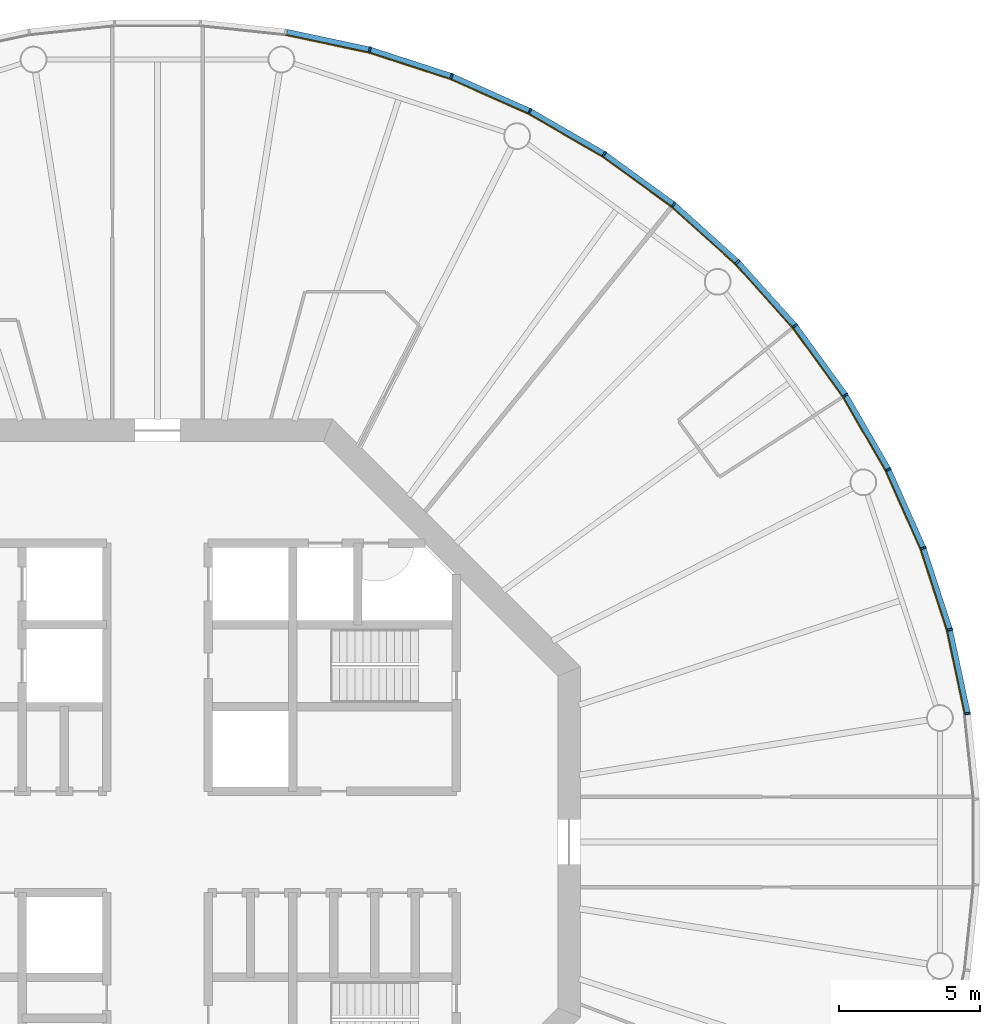
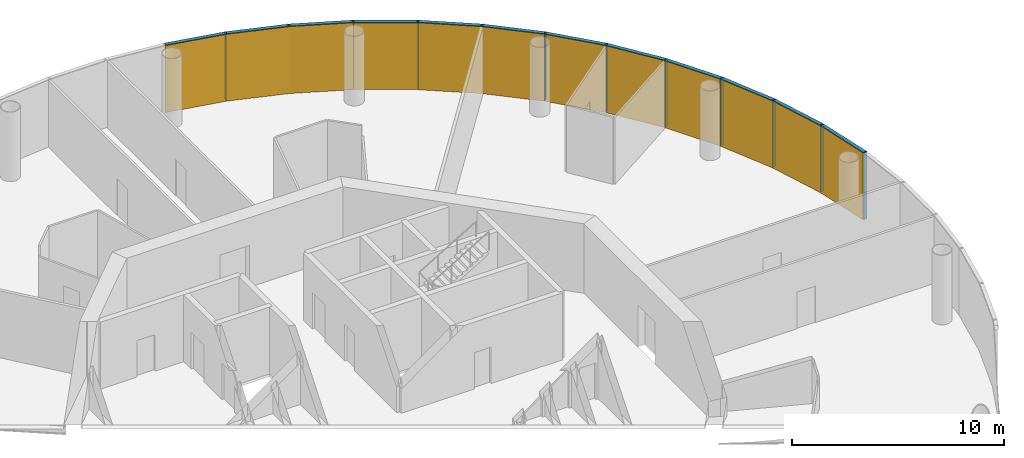
# One storey, part 12 of 13: 24 members, 4 curtain walls.
"""IFC4 building model written with IfcOpenShell, lengths in metres."""

from ifc_helpers import new_model, si_unit, direction, frame, origin, origin_2d, place, context, subcontext, project, spatial, polyline, rectangle, outline, extrude, material, layer, layer_set, material_profile, profile_set, type_object, element, aggregate, save


model = new_model("IFC4")

# Units and contexts
model_context = context("Model", 3, precision=1e-05, world=origin(), true_north=direction((0.0, 1.0)))
body_context = subcontext(model_context, "Body", "Model", "MODEL_VIEW")
ifc_project = project(units=[si_unit("LENGTHUNIT", "METRE"), si_unit("AREAUNIT", "SQUARE_METRE"), si_unit("VOLUMEUNIT", "CUBIC_METRE"), si_unit("PLANEANGLEUNIT", "RADIAN"), si_unit("MASSUNIT", "GRAM", prefix="KILO")], contexts=[model_context])

# Member
ifc_material_1 = material(Name="Anodised aluminium", Category="aluminium")
ifc_material_profile_1 = material_profile(ifc_material_1, rectangle(XDim=0.06494140625, YDim=0.195068359375, at=origin_2d()), Name="Mullion 65 x 195 mm anodised aluminium")
ifc_profile_set_1 = profile_set([ifc_material_profile_1], Name="Anodised aluminium")
member_type_1 = type_object("IfcMemberType", Name="Mullion 65 x 195 mm anodised aluminium", PredefinedType="MULLION", material=ifc_profile_set_1)
site_placement = place(None, origin())
building_placement = place(site_placement, origin())
storey_placement = place(building_placement, frame((0.0, 0.0, 286.0)))
member_1_placement = place(storey_placement, frame((118.7392578125, 84.5517578125, 0.0), z_axis=(0.0, 0.0, 1.0), x_axis=(-0.15643446504, 0.987688340595, 0.0)))
member_1 = element("IfcMember", 1, at=member_1_placement, type_object=member_type_1, Name="MULLION L65-00", PredefinedType="MULLION", context=body_context, shape_type="SweptSolid", body=[
    extrude(rectangle(XDim=0.06494140625, YDim=0.195068359375, at=origin_2d()), origin(), (0.0, 0.0, 1.0), 3.85009765625),
])

member_2_placement = place(storey_placement, frame((118.10595703125, 87.531005859375, 0.0), z_axis=(0.0, 0.0, 1.0), x_axis=(-0.258819045103, 0.965925826289, 0.0)))
member_2 = element("IfcMember", 2, at=member_2_placement, type_object=member_type_1, Name="MULLION L65-01", PredefinedType="MULLION", context=body_context, shape_type="SweptSolid", body=[
    extrude(rectangle(XDim=0.06494140625, YDim=0.195068359375, at=origin_2d()), origin(), (0.0, 0.0, 1.0), 3.85009765625),
])

member_3_placement = place(storey_placement, frame((117.164794921875, 90.427490234375, 0.0), z_axis=(0.0, 0.0, 1.0), x_axis=(-0.358367949545, 0.933580426497, 0.0)))
member_3 = element("IfcMember", 3, at=member_3_placement, type_object=member_type_1, Name="MULLION L65-02", PredefinedType="MULLION", context=body_context, shape_type="SweptSolid", body=[
    extrude(rectangle(XDim=0.06494140625, YDim=0.195068359375, at=origin_2d()), origin(), (0.0, 0.0, 1.0), 3.85009765625),
])

member_4_placement = place(storey_placement, frame((115.926025390625, 93.2099609375, 0.0), z_axis=(0.0, 0.0, 1.0), x_axis=(-0.45399049974, 0.891006524188, 0.0)))
member_4 = element("IfcMember", 4, at=member_4_placement, type_object=member_type_1, Name="MULLION L65-03", PredefinedType="MULLION", context=body_context, shape_type="SweptSolid", body=[
    extrude(rectangle(XDim=0.06494140625, YDim=0.195068359375, at=origin_2d()), origin(), (0.0, 0.0, 1.0), 3.85009765625),
])

member_5_placement = place(storey_placement, frame((114.4033203125, 95.84765625, 0.0), z_axis=(0.0, 0.0, 1.0), x_axis=(-0.544639035015, 0.838670567945, 0.0)))
member_5 = element("IfcMember", 5, at=member_5_placement, type_object=member_type_1, Name="MULLION L65-04", PredefinedType="MULLION", context=body_context, shape_type="SweptSolid", body=[
    extrude(rectangle(XDim=0.06494140625, YDim=0.195068359375, at=origin_2d()), origin(), (0.0, 0.0, 1.0), 3.85009765625),
])

member_6_placement = place(storey_placement, frame((112.613037109375, 98.311767578125, 0.0), z_axis=(0.0, 0.0, 1.0), x_axis=(-0.62932039105, 0.777145961457, 0.0)))
member_6 = element("IfcMember", 6, at=member_6_placement, type_object=member_type_1, Name="MULLION L65-05", PredefinedType="MULLION", context=body_context, shape_type="SweptSolid", body=[
    extrude(rectangle(XDim=0.06494140625, YDim=0.195068359375, at=origin_2d()), origin(), (0.0, 0.0, 1.0), 3.85009765625),
])

member_7_placement = place(storey_placement, frame((110.574951171875, 100.574951171875, 0.0), z_axis=(0.0, 0.0, 1.0), x_axis=(-0.707106781187, 0.707106781187, 0.0)))
member_7 = element("IfcMember", 7, at=member_7_placement, type_object=member_type_1, Name="MULLION L65-06", PredefinedType="MULLION", context=body_context, shape_type="SweptSolid", body=[
    extrude(rectangle(XDim=0.06494140625, YDim=0.195068359375, at=origin_2d()), origin(), (0.0, 0.0, 1.0), 3.85009765625),
])

member_8_placement = place(storey_placement, frame((108.311767578125, 102.613037109375, 0.0), z_axis=(0.0, 0.0, 1.0), x_axis=(-0.777145961457, 0.62932039105, 0.0)))
member_8 = element("IfcMember", 8, at=member_8_placement, type_object=member_type_1, Name="MULLION L65-07", PredefinedType="MULLION", context=body_context, shape_type="SweptSolid", body=[
    extrude(rectangle(XDim=0.06494140625, YDim=0.195068359375, at=origin_2d()), origin(), (0.0, 0.0, 1.0), 3.85009765625),
])

member_9_placement = place(storey_placement, frame((105.84765625, 104.4033203125, 0.0), z_axis=(0.0, 0.0, 1.0), x_axis=(-0.838670567945, 0.544639035015, 0.0)))
member_9 = element("IfcMember", 9, at=member_9_placement, type_object=member_type_1, Name="MULLION L65-08", PredefinedType="MULLION", context=body_context, shape_type="SweptSolid", body=[
    extrude(rectangle(XDim=0.06494140625, YDim=0.195068359375, at=origin_2d()), origin(), (0.0, 0.0, 1.0), 3.85009765625),
])

member_10_placement = place(storey_placement, frame((103.2099609375, 105.926025390625, 0.0), z_axis=(0.0, 0.0, 1.0), x_axis=(-0.891006524188, 0.45399049974, 0.0)))
member_10 = element("IfcMember", 10, at=member_10_placement, type_object=member_type_1, Name="MULLION L65-09", PredefinedType="MULLION", context=body_context, shape_type="SweptSolid", body=[
    extrude(rectangle(XDim=0.06494140625, YDim=0.195068359375, at=origin_2d()), origin(), (0.0, 0.0, 1.0), 3.85009765625),
])

member_11_placement = place(storey_placement, frame((100.427490234375, 107.164794921875, 0.0), z_axis=(0.0, 0.0, 1.0), x_axis=(-0.933580426497, 0.358367949545, 0.0)))
member_11 = element("IfcMember", 11, at=member_11_placement, type_object=member_type_1, Name="MULLION L65-10", PredefinedType="MULLION", context=body_context, shape_type="SweptSolid", body=[
    extrude(rectangle(XDim=0.06494140625, YDim=0.195068359375, at=origin_2d()), origin(), (0.0, 0.0, 1.0), 3.85009765625),
])

member_12_placement = place(storey_placement, frame((97.531005859375, 108.10595703125, 0.0), z_axis=(0.0, 0.0, 1.0), x_axis=(-0.965925826289, 0.258819045103, 0.0)))
member_12 = element("IfcMember", 12, at=member_12_placement, type_object=member_type_1, Name="MULLION L65-11", PredefinedType="MULLION", context=body_context, shape_type="SweptSolid", body=[
    extrude(rectangle(XDim=0.06494140625, YDim=0.195068359375, at=origin_2d()), origin(), (0.0, 0.0, 1.0), 3.85009765625),
])

ifc_material_2 = material(Name="Anodised aluminium", Category="aluminium")
ifc_material_profile_2 = material_profile(ifc_material_2, rectangle(XDim=0.195068359375, YDim=0.179931640625, at=origin_2d()), Name="Transom 180 x 195 mm anodised aluminium")
ifc_profile_set_2 = profile_set([ifc_material_profile_2], Name="Anodised aluminium")
member_type_2 = type_object("IfcMemberType", Name="Transom 180 x 195 mm anodised aluminium", PredefinedType="USERDEFINED", material=ifc_profile_set_2)
member_13_placement = place(storey_placement, frame((118.731689453125, 84.588623046875, 3.760009765625), z_axis=(-0.207940342877, 0.978141510112, 0.0), x_axis=(-0.978141510112, -0.207940342877, 0.0)))
member_13 = element("IfcMember", 13, at=member_13_placement, type_object=member_type_2, Name="TRANSOM L65-00", ObjectType="TRANSOM", PredefinedType="USERDEFINED", context=body_context, shape_type="SweptSolid", body=[
    extrude(rectangle(XDim=0.195068359375, YDim=0.179931640625, at=origin_2d()), origin(), (0.0, 0.0, 1.0), 2.970458984375),
])

member_14_placement = place(storey_placement, frame((118.094482421875, 87.56689453125, 3.760009765625), z_axis=(-0.309043326415, 0.951047960094, 0.0), x_axis=(-0.951047960094, -0.309043326415, 0.0)))
member_14 = element("IfcMember", 14, at=member_14_placement, type_object=member_type_2, Name="TRANSOM L65-01", ObjectType="TRANSOM", PredefinedType="USERDEFINED", context=body_context, shape_type="SweptSolid", body=[
    extrude(rectangle(XDim=0.195068359375, YDim=0.179931640625, at=origin_2d()), origin(), (0.0, 0.0, 1.0), 2.970458984375),
])

member_15_placement = place(storey_placement, frame((117.149658203125, 90.4619140625, 3.760009765625), z_axis=(-0.406725527369, 0.913550406593, 0.0), x_axis=(-0.913550406593, -0.406725527369, 0.0)))
member_15 = element("IfcMember", 15, at=member_15_placement, type_object=member_type_2, Name="TRANSOM L65-02", ObjectType="TRANSOM", PredefinedType="USERDEFINED", context=body_context, shape_type="SweptSolid", body=[
    extrude(rectangle(XDim=0.195068359375, YDim=0.179931640625, at=origin_2d()), origin(), (0.0, 0.0, 1.0), 2.970703125),
])

member_16_placement = place(storey_placement, frame((115.907470703125, 93.24267578125, 3.760009765625), z_axis=(-0.500028367561, 0.866009025146, 0.0), x_axis=(-0.866009025146, -0.500028367561, 0.0)))
member_16 = element("IfcMember", 16, at=member_16_placement, type_object=member_type_2, Name="TRANSOM L65-03", ObjectType="TRANSOM", PredefinedType="USERDEFINED", context=body_context, shape_type="SweptSolid", body=[
    extrude(rectangle(XDim=0.195068359375, YDim=0.179931640625, at=origin_2d()), origin(), (0.0, 0.0, 1.0), 2.970458984375),
])

member_17_placement = place(storey_placement, frame((114.381103515625, 95.878173828125, 3.760009765625), z_axis=(-0.587765987476, 0.809030990733, 0.0), x_axis=(-0.809030990733, -0.587765987476, 0.0)))
member_17 = element("IfcMember", 17, at=member_17_placement, type_object=member_type_2, Name="TRANSOM L65-04", ObjectType="TRANSOM", PredefinedType="USERDEFINED", context=body_context, shape_type="SweptSolid", body=[
    extrude(rectangle(XDim=0.195068359375, YDim=0.179931640625, at=origin_2d()), origin(), (0.0, 0.0, 1.0), 2.97021484375),
])

member_18_placement = place(storey_placement, frame((112.587890625, 98.339599609375, 3.760009765625), z_axis=(-0.669110027395, 0.743163354343, 0.0), x_axis=(-0.743163354343, -0.669110027395, 0.0)))
member_18 = element("IfcMember", 18, at=member_18_placement, type_object=member_type_2, Name="TRANSOM L65-05", ObjectType="TRANSOM", PredefinedType="USERDEFINED", context=body_context, shape_type="SweptSolid", body=[
    extrude(rectangle(XDim=0.195068359375, YDim=0.179931640625, at=origin_2d()), origin(), (0.0, 0.0, 1.0), 2.970458984375),
])

member_19_placement = place(storey_placement, frame((110.547119140625, 100.600341796875, 3.760009765625), z_axis=(-0.743163354343, 0.669110027395, 0.0), x_axis=(-0.669110027395, -0.743163354343, 0.0)))
member_19 = element("IfcMember", 19, at=member_19_placement, type_object=member_type_2, Name="TRANSOM L65-06", ObjectType="TRANSOM", PredefinedType="USERDEFINED", context=body_context, shape_type="SweptSolid", body=[
    extrude(rectangle(XDim=0.195068359375, YDim=0.179931640625, at=origin_2d()), origin(), (0.0, 0.0, 1.0), 2.970458984375),
])

member_20_placement = place(storey_placement, frame((108.28125, 102.63525390625, 3.760009765625), z_axis=(-0.809030990733, 0.587765987476, 0.0), x_axis=(-0.587765987476, -0.809030990733, 0.0)))
member_20 = element("IfcMember", 20, at=member_20_placement, type_object=member_type_2, Name="TRANSOM L65-07", ObjectType="TRANSOM", PredefinedType="USERDEFINED", context=body_context, shape_type="SweptSolid", body=[
    extrude(rectangle(XDim=0.195068359375, YDim=0.179931640625, at=origin_2d()), origin(), (0.0, 0.0, 1.0), 2.97021484375),
])

member_21_placement = place(storey_placement, frame((105.815185546875, 104.422119140625, 3.760009765625), z_axis=(-0.866009025146, 0.500028367561, 0.0), x_axis=(-0.500028367561, -0.866009025146, 0.0)))
member_21 = element("IfcMember", 21, at=member_21_placement, type_object=member_type_2, Name="TRANSOM L65-08", ObjectType="TRANSOM", PredefinedType="USERDEFINED", context=body_context, shape_type="SweptSolid", body=[
    extrude(rectangle(XDim=0.195068359375, YDim=0.179931640625, at=origin_2d()), origin(), (0.0, 0.0, 1.0), 2.970458984375),
])

member_22_placement = place(storey_placement, frame((103.17578125, 105.94140625, 3.760009765625), z_axis=(-0.913550406593, 0.406725527369, 0.0), x_axis=(-0.406725527369, -0.913550406593, 0.0)))
member_22 = element("IfcMember", 22, at=member_22_placement, type_object=member_type_2, Name="TRANSOM L65-09", ObjectType="TRANSOM", PredefinedType="USERDEFINED", context=body_context, shape_type="SweptSolid", body=[
    extrude(rectangle(XDim=0.195068359375, YDim=0.179931640625, at=origin_2d()), origin(), (0.0, 0.0, 1.0), 2.970703125),
])

member_23_placement = place(storey_placement, frame((100.391845703125, 107.176513671875, 3.760009765625), z_axis=(-0.951047960094, 0.309043326415, 0.0), x_axis=(-0.309043326415, -0.951047960094, 0.0)))
member_23 = element("IfcMember", 23, at=member_23_placement, type_object=member_type_2, Name="TRANSOM L65-10", ObjectType="TRANSOM", PredefinedType="USERDEFINED", context=body_context, shape_type="SweptSolid", body=[
    extrude(rectangle(XDim=0.195068359375, YDim=0.179931640625, at=origin_2d()), origin(), (0.0, 0.0, 1.0), 2.970458984375),
])

member_24_placement = place(storey_placement, frame((97.494140625, 108.114013671875, 3.760009765625), z_axis=(-0.978141510112, 0.207940342877, 0.0), x_axis=(-0.207940342877, -0.978141510112, 0.0)))
member_24 = element("IfcMember", 24, at=member_24_placement, type_object=member_type_2, Name="TRANSOM L65-11", ObjectType="TRANSOM", PredefinedType="USERDEFINED", context=body_context, shape_type="SweptSolid", body=[
    extrude(rectangle(XDim=0.195068359375, YDim=0.179931640625, at=origin_2d()), origin(), (0.0, 0.0, 1.0), 2.970458984375),
])

# Site, building, storey
site = spatial("IfcSite", under=ifc_project, at=site_placement, CompositionType="ELEMENT")
building = spatial("IfcBuilding", under=site, at=building_placement, Name="Entoto Ring Tower", CompositionType="ELEMENT")
storey = spatial("IfcBuildingStorey", under=building, at=storey_placement, Name="L65", CompositionType="ELEMENT", Elevation=286.0)

# Curtain wall
ifc_material_3 = material(Name="Clear low-iron glass", Category="glass")
ifc_layer = layer(ifc_material_3, 0.033935546875)
ifc_layer_set = layer_set([ifc_layer], Name="Clear low-iron glass")
curtain_wall_type = type_object("IfcCurtainWallType", Name="Curtain wall system CW5 glazing 34 mm", PredefinedType="NOTDEFINED", material=ifc_layer_set)
curtain_wall_1_placement = place(storey_placement, origin())
curtain_wall_1 = element("IfcCurtainWall", 25, at=curtain_wall_1_placement, inside=storey, type_object=curtain_wall_type, Name="CW5 L65-01", PredefinedType="NOTDEFINED", context=body_context, shape_type="SweptSolid", body=[
    extrude(outline(polyline([(118.64306640625, 84.53662109375), (118.011962890625, 87.505859375), (117.07373046875, 90.392578125), (115.839111328125, 93.165771484375), (115.808837890625, 93.150146484375), (117.0419921875, 90.38037109375), (117.97900390625, 87.496826171875), (118.609375, 84.53125), (118.64306640625, 84.53662109375)])), origin(), (0.0, 0.0, 1.0), 3.85009765625),
])

aggregate(curtain_wall_1, [member_1, member_2, member_3, member_13, member_14, member_15])

curtain_wall_2_placement = place(storey_placement, origin())
curtain_wall_2 = element("IfcCurtainWall", 26, at=curtain_wall_2_placement, inside=storey, type_object=curtain_wall_type, Name="CW5 L65-02", PredefinedType="NOTDEFINED", context=body_context, shape_type="SweptSolid", body=[
    extrude(outline(polyline([(115.839111328125, 93.165771484375), (114.321533203125, 95.79443359375), (112.537353515625, 98.250244140625), (110.506103515625, 100.506103515625), (110.48193359375, 100.48193359375), (112.5107421875, 98.228759765625), (114.29296875, 95.77587890625), (115.808837890625, 93.150146484375), (115.839111328125, 93.165771484375)])), origin(), (0.0, 0.0, 1.0), 3.85009765625),
])

aggregate(curtain_wall_2, [member_4, member_5, member_6, member_16, member_17, member_18])

curtain_wall_3_placement = place(storey_placement, origin())
curtain_wall_3 = element("IfcCurtainWall", 27, at=curtain_wall_3_placement, inside=storey, type_object=curtain_wall_type, Name="CW5 L65-03", PredefinedType="NOTDEFINED", context=body_context, shape_type="SweptSolid", body=[
    extrude(outline(polyline([(110.506103515625, 100.506103515625), (108.250244140625, 102.537353515625), (105.79443359375, 104.321533203125), (103.165771484375, 105.839111328125), (103.150146484375, 105.808837890625), (105.77587890625, 104.29296875), (108.228759765625, 102.5107421875), (110.48193359375, 100.48193359375), (110.506103515625, 100.506103515625)])), origin(), (0.0, 0.0, 1.0), 3.85009765625),
])

aggregate(curtain_wall_3, [member_7, member_8, member_9, member_19, member_20, member_21])

curtain_wall_4_placement = place(storey_placement, origin())
curtain_wall_4 = element("IfcCurtainWall", 28, at=curtain_wall_4_placement, inside=storey, type_object=curtain_wall_type, Name="CW5 L65-04", PredefinedType="NOTDEFINED", context=body_context, shape_type="SweptSolid", body=[
    extrude(outline(polyline([(103.165771484375, 105.839111328125), (100.392578125, 107.07373046875), (97.505859375, 108.011962890625), (94.53662109375, 108.64306640625), (94.53125, 108.609375), (97.496826171875, 107.97900390625), (100.38037109375, 107.0419921875), (103.150146484375, 105.808837890625), (103.165771484375, 105.839111328125)])), origin(), (0.0, 0.0, 1.0), 3.85009765625),
])

aggregate(curtain_wall_4, [member_10, member_11, member_12, member_22, member_23, member_24])

save(model, "model.ifc")
